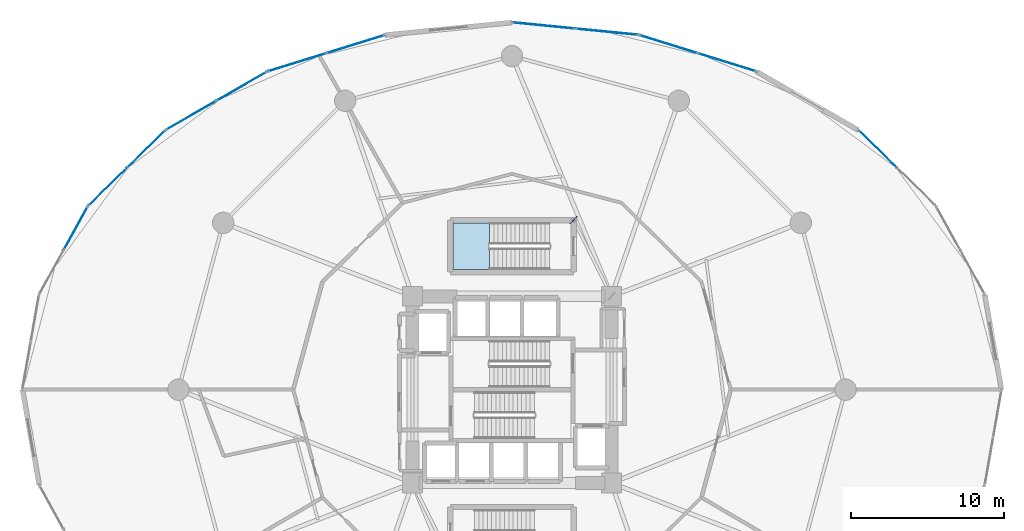
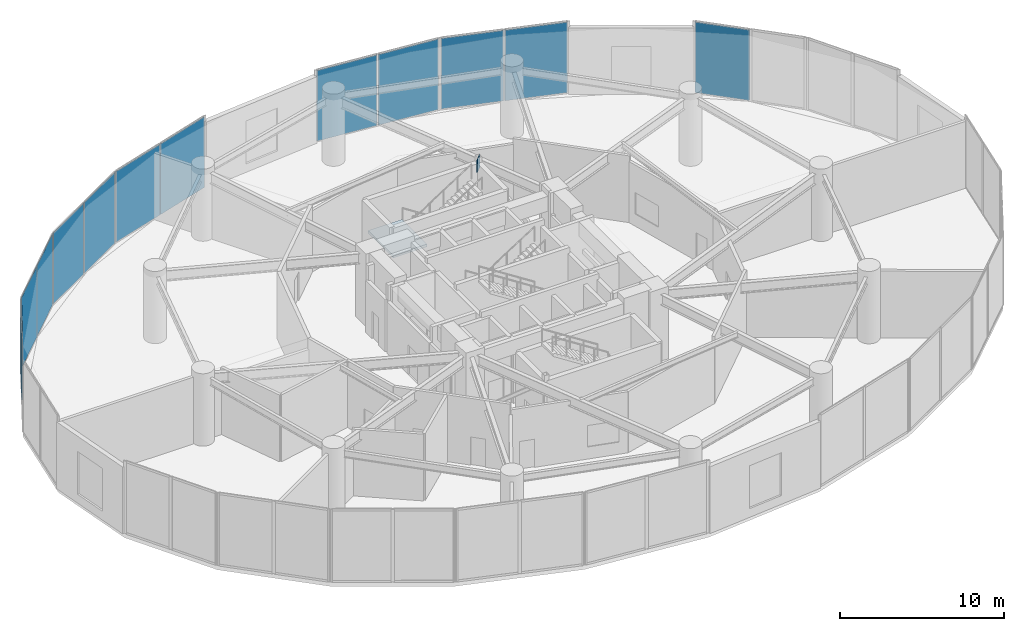
# One storey, part 22 of 29: 13 plates, 1 slab, 8 elements without a shape of their own.
"""IFC4 building model written with IfcOpenShell, lengths in metres."""

from ifc_helpers import new_model, si_unit, direction, frame, origin, origin_2d, place, context, subcontext, project, spatial, polyline, rectangle, outline, extrude, source, transform, mapped, material, layer, layer_set, type_object, element, aggregate, save


model = new_model("IFC4")

# Units and contexts
model_context = context("Model", 3, precision=1e-05, world=origin(), true_north=direction((0.0, 1.0)))
body_context = subcontext(model_context, "Body", "Model", "MODEL_VIEW")
ifc_project = project(units=[si_unit("LENGTHUNIT", "METRE"), si_unit("AREAUNIT", "SQUARE_METRE"), si_unit("VOLUMEUNIT", "CUBIC_METRE"), si_unit("PLANEANGLEUNIT", "RADIAN"), si_unit("MASSUNIT", "GRAM", prefix="KILO")], contexts=[model_context])

# Site, building, storey
site_placement = place(None, origin())
site = spatial("IfcSite", under=ifc_project, at=site_placement, CompositionType="ELEMENT")
building_placement = place(site_placement, origin())
building = spatial("IfcBuilding", under=site, at=building_placement, Name="Solvirekh Grand Hotel", CompositionType="ELEMENT")
storey_placement = place(building_placement, frame((0.0, 0.0, 7.199951171875)))
storey = spatial("IfcBuildingStorey", under=building, at=storey_placement, Name="L01", CompositionType="ELEMENT", Elevation=7.199951171875)

# Stair, slab
ifc_material_1 = material(Name="Steel S355", Category="steel")
stair_type = type_object("IfcStairType", Name="Stair_Grand_2000", PredefinedType="STRAIGHT_RUN_STAIR", material=ifc_material_1)
stair_placement = place(storey_placement, origin())
stair = element("IfcStair", 1, at=stair_placement, inside=storey, type_object=stair_type, Name="L01 Enclosed exit stair ST-4", PredefinedType="STRAIGHT_RUN_STAIR")
ifc_material_2 = material(Name="Concrete C40/50", Category="concrete")
ifc_layer_1 = layer(ifc_material_2, 0.219970703125)
ifc_layer_set_1 = layer_set([ifc_layer_1], Name="Concrete C40/50")
slab_type = type_object("IfcSlabType", Name="Landing_PodStair_220", PredefinedType="LANDING", material=ifc_layer_set_1)
slab_placement = place(storey_placement, frame((0.0, 0.0, 2.5)))
slab = element("IfcSlab", 2, at=slab_placement, type_object=slab_type, Name="ST-4 landing 1", PredefinedType="LANDING", context=body_context, shape_type="SweptSolid", body=[
    extrude(outline(polyline([(-1.469970703125, 10.89990234375), (-3.85009765625, 10.89990234375), (-3.85009765625, 7.85009765625), (-1.469970703125, 7.85009765625), (-1.469970703125, 10.89990234375)])), origin(), (0.0, 0.0, 1.0), 0.199951171875),
])
aggregate(stair, [slab])

# Plate
ifc_layer_2 = layer(ifc_material_1, 0.0400390625)
ifc_layer_set_2 = layer_set([ifc_layer_2], Name="Steel S355")
plate_type_1 = type_object("IfcPlateType", Name="NodeCapPlate_40", PredefinedType="SHEET", material=ifc_layer_set_2)
plate_1_placement = place(storey_placement, frame((4.02490234375, 11.074951171875, 4.375), z_axis=(0.0, 0.0, 1.0), x_axis=(-0.707106781187, 0.707106781187, 0.0)))
element("IfcPlate", 3, at=plate_1_placement, inside=storey, type_object=plate_type_1, Name="L01 hollow-section node plate NP-L01-SG4B", PredefinedType="SHEET", context=body_context, shape_type="SweptSolid", body=[
    extrude(rectangle(XDim=0.0400390625, YDim=0.64990234375, at=origin_2d()), origin(), (0.0, 0.0, 1.0), 0.949951171875),
])

# Curtain wall, plate
ifc_material_3 = material(Name="Anodized Bronze Aluminium 6063-T6", Category="aluminium")
ifc_layer_3 = layer(ifc_material_3, 0.219970703125)
ifc_layer_set_3 = layer_set([ifc_layer_3], Name="Anodized Bronze Aluminium 6063-T6")
curtain_wall_type = type_object("IfcCurtainWallType", Name="CW_Sys1_PodiumBronzeUnitised", PredefinedType="NOTDEFINED", material=ifc_layer_set_3)
curtain_wall_1_placement = place(storey_placement, origin())
curtain_wall_1 = element("IfcCurtainWall", 4, at=curtain_wall_1_placement, inside=storey, type_object=curtain_wall_type, Name="L01 unitised bronze-glass curtain wall CW-L01-C11", PredefinedType="NOTDEFINED")
ifc_material_4 = material(Name="Low-E Tinted Bronze Laminated Glass", Category="aluminium")
ifc_layer_4 = layer(ifc_material_4, 0.0439453125)
ifc_layer_set_4 = layer_set([ifc_layer_4], Name="Low-E Tinted Bronze Laminated Glass")
plate_type_2 = type_object("IfcPlateType", Name="CWPanel_Podium_44", PredefinedType="CURTAIN_PANEL", material=ifc_layer_set_4)
shared_shape_1 = source(origin(), body_context, "Body", "SweptSolid", [
    extrude(rectangle(XDim=3.193603515625, YDim=0.0439453125, at=origin_2d()), origin(), (0.0, 0.0, 1.0), 5.27001953125),
])
plate_2_placement = place(storey_placement, frame((-28.521240234375, 10.53662109375, 0.06494140625), z_axis=(0.0, 0.0, 1.0), x_axis=(-0.48349707719, -0.875345975229, 0.0)))
plate_2 = element("IfcPlate", 5, at=plate_2_placement, type_object=plate_type_2, Name="U01 panel 1.1", PredefinedType="CURTAIN_PANEL", context=body_context, shape_type="MappedRepresentation", body=[
    mapped(shared_shape_1, transform((0.0, 0.0, 0.0), x_axis=(1.0, 0.0, 0.0), y_axis=(0.0, 1.0, 0.0), z_axis=(0.0, 0.0, 1.0), scale=1.0)),
])
aggregate(curtain_wall_1, [plate_2])

curtain_wall_2_placement = place(storey_placement, origin())
curtain_wall_2 = element("IfcCurtainWall", 6, at=curtain_wall_2_placement, inside=storey, type_object=curtain_wall_type, Name="L01 unitised bronze-glass curtain wall CW-L01-C03", PredefinedType="NOTDEFINED")
shared_shape_2 = source(origin(), body_context, "Body", "SweptSolid", [
    extrude(rectangle(XDim=3.443359375, YDim=0.0439453125, at=origin_2d()), origin(), (0.0, 0.0, 1.0), 5.27001953125),
])
plate_3_placement = place(storey_placement, frame((23.911865234375, 15.715087890625, 0.06494140625), z_axis=(0.0, 0.0, 1.0), x_axis=(-0.715145668062, 0.698975445529, 0.0)))
plate_3 = element("IfcPlate", 7, at=plate_3_placement, type_object=plate_type_2, Name="U01 panel 2.1", PredefinedType="CURTAIN_PANEL", context=body_context, shape_type="MappedRepresentation", body=[
    mapped(shared_shape_2, transform((0.0, 0.0, 0.0), x_axis=(1.0, 0.0, 0.0), y_axis=(0.0, 1.0, 0.0), z_axis=(0.0, 0.0, 1.0), scale=1.0)),
])
aggregate(curtain_wall_2, [plate_3])

# Curtain wall, plates
curtain_wall_3_placement = place(storey_placement, origin())
curtain_wall_3 = element("IfcCurtainWall", 8, at=curtain_wall_3_placement, inside=storey, type_object=curtain_wall_type, Name="L01 unitised bronze-glass curtain wall CW-L01-C10", PredefinedType="NOTDEFINED")
plate_4_placement = place(storey_placement, frame((-23.911865234375, 15.715087890625, 0.06494140625), z_axis=(0.0, 0.0, 1.0), x_axis=(-0.715145668062, -0.698975445529, 0.0)))
plate_4 = element("IfcPlate", 9, at=plate_4_placement, type_object=plate_type_2, Name="U01 panel 1.1", PredefinedType="CURTAIN_PANEL", context=body_context, shape_type="MappedRepresentation", body=[
    mapped(shared_shape_2, transform((0.0, 0.0, 0.0), x_axis=(1.0, 0.0, 0.0), y_axis=(0.0, 1.0, 0.0), z_axis=(0.0, 0.0, 1.0), scale=1.0)),
])
plate_5_placement = place(storey_placement, frame((-26.427978515625, 13.255859375, 0.06494140625), z_axis=(0.0, 0.0, 1.0), x_axis=(-0.715145668062, -0.698975445529, 0.0)))
plate_5 = element("IfcPlate", 10, at=plate_5_placement, type_object=plate_type_2, Name="U01 panel 2.1", PredefinedType="CURTAIN_PANEL", context=body_context, shape_type="MappedRepresentation", body=[
    mapped(shared_shape_2, transform((0.0, 0.0, 0.0), x_axis=(1.0, 0.0, 0.0), y_axis=(0.0, 1.0, 0.0), z_axis=(0.0, 0.0, 1.0), scale=1.0)),
])
aggregate(curtain_wall_3, [plate_4, plate_5])

curtain_wall_4_placement = place(storey_placement, origin())
curtain_wall_4 = element("IfcCurtainWall", 11, at=curtain_wall_4_placement, inside=storey, type_object=curtain_wall_type, Name="L01 unitised bronze-glass curtain wall CW-L01-C05", PredefinedType="NOTDEFINED")
shared_shape_3 = source(origin(), body_context, "Body", "SweptSolid", [
    extrude(rectangle(XDim=3.92822265625, YDim=0.0439453125, at=origin_2d()), origin(), (0.0, 0.0, 1.0), 5.27001953125),
])
plate_6_placement = place(storey_placement, frame((14.052490234375, 21.389892578125, 0.06494140625), z_axis=(0.0, 0.0, 1.0), x_axis=(-0.955002516074, 0.296597697719, 0.0)))
plate_6 = element("IfcPlate", 12, at=plate_6_placement, type_object=plate_type_2, Name="U01 panel 1.1", PredefinedType="CURTAIN_PANEL", context=body_context, shape_type="MappedRepresentation", body=[
    mapped(shared_shape_3, transform((0.0, 0.0, 0.0), x_axis=(1.0, 0.0, 0.0), y_axis=(0.0, 1.0, 0.0), z_axis=(0.0, 0.0, 1.0), scale=1.0)),
])
plate_7_placement = place(storey_placement, frame((10.2294921875, 22.5771484375, 0.06494140625), z_axis=(0.0, 0.0, 1.0), x_axis=(-0.955002516074, 0.296597697719, 0.0)))
plate_7 = element("IfcPlate", 13, at=plate_7_placement, type_object=plate_type_2, Name="U01 panel 2.1", PredefinedType="CURTAIN_PANEL", context=body_context, shape_type="MappedRepresentation", body=[
    mapped(shared_shape_3, transform((0.0, 0.0, 0.0), x_axis=(1.0, 0.0, 0.0), y_axis=(0.0, 1.0, 0.0), z_axis=(0.0, 0.0, 1.0), scale=1.0)),
])
aggregate(curtain_wall_4, [plate_6, plate_7])

curtain_wall_5_placement = place(storey_placement, origin())
curtain_wall_5 = element("IfcCurtainWall", 14, at=curtain_wall_5_placement, inside=storey, type_object=curtain_wall_type, Name="L01 unitised bronze-glass curtain wall CW-L01-C08", PredefinedType="NOTDEFINED")
plate_8_placement = place(storey_placement, frame((-10.2294921875, 22.5771484375, 0.06494140625), z_axis=(0.0, 0.0, 1.0), x_axis=(-0.955002516074, -0.296597697719, 0.0)))
plate_8 = element("IfcPlate", 15, at=plate_8_placement, type_object=plate_type_2, Name="U01 panel 1.1", PredefinedType="CURTAIN_PANEL", context=body_context, shape_type="MappedRepresentation", body=[
    mapped(shared_shape_3, transform((0.0, 0.0, 0.0), x_axis=(1.0, 0.0, 0.0), y_axis=(0.0, 1.0, 0.0), z_axis=(0.0, 0.0, 1.0), scale=1.0)),
])
plate_9_placement = place(storey_placement, frame((-14.052490234375, 21.389892578125, 0.06494140625), z_axis=(0.0, 0.0, 1.0), x_axis=(-0.955002516074, -0.296597697719, 0.0)))
plate_9 = element("IfcPlate", 16, at=plate_9_placement, type_object=plate_type_2, Name="U01 panel 2.1", PredefinedType="CURTAIN_PANEL", context=body_context, shape_type="MappedRepresentation", body=[
    mapped(shared_shape_3, transform((0.0, 0.0, 0.0), x_axis=(1.0, 0.0, 0.0), y_axis=(0.0, 1.0, 0.0), z_axis=(0.0, 0.0, 1.0), scale=1.0)),
])
aggregate(curtain_wall_5, [plate_8, plate_9])

curtain_wall_6_placement = place(storey_placement, origin())
curtain_wall_6 = element("IfcCurtainWall", 17, at=curtain_wall_6_placement, inside=storey, type_object=curtain_wall_type, Name="L01 unitised bronze-glass curtain wall CW-L01-C06", PredefinedType="NOTDEFINED")
shared_shape_4 = source(origin(), body_context, "Body", "SweptSolid", [
    extrude(rectangle(XDim=4.048583984375, YDim=0.0439453125, at=origin_2d()), origin(), (0.0, 0.0, 1.0), 5.27001953125),
])
plate_10_placement = place(storey_placement, frame((6.19287109375, 23.388427734375, 0.06494140625), z_axis=(0.0, 0.0, 1.0), x_axis=(-0.995157799072, 0.098290156916, 0.0)))
plate_10 = element("IfcPlate", 18, at=plate_10_placement, type_object=plate_type_2, Name="U01 panel 1.1", PredefinedType="CURTAIN_PANEL", context=body_context, shape_type="MappedRepresentation", body=[
    mapped(shared_shape_4, transform((0.0, 0.0, 0.0), x_axis=(1.0, 0.0, 0.0), y_axis=(0.0, 1.0, 0.0), z_axis=(0.0, 0.0, 1.0), scale=1.0)),
])
plate_11_placement = place(storey_placement, frame((2.089111328125, 23.793701171875, 0.06494140625), z_axis=(0.0, 0.0, 1.0), x_axis=(-0.995157799072, 0.098290156916, 0.0)))
plate_11 = element("IfcPlate", 19, at=plate_11_placement, type_object=plate_type_2, Name="U01 panel 2.1", PredefinedType="CURTAIN_PANEL", context=body_context, shape_type="MappedRepresentation", body=[
    mapped(shared_shape_4, transform((0.0, 0.0, 0.0), x_axis=(1.0, 0.0, 0.0), y_axis=(0.0, 1.0, 0.0), z_axis=(0.0, 0.0, 1.0), scale=1.0)),
])
aggregate(curtain_wall_6, [plate_10, plate_11])

curtain_wall_7_placement = place(storey_placement, origin())
curtain_wall_7 = element("IfcCurtainWall", 20, at=curtain_wall_7_placement, inside=storey, type_object=curtain_wall_type, Name="L01 unitised bronze-glass curtain wall CW-L01-C09", PredefinedType="NOTDEFINED")
shared_shape_5 = source(origin(), body_context, "Body", "SweptSolid", [
    extrude(rectangle(XDim=3.710693359375, YDim=0.0439453125, at=origin_2d()), origin(), (0.0, 0.0, 1.0), 5.27001953125),
])
plate_12_placement = place(storey_placement, frame((-17.673095703125, 19.822265625, 0.06494140625), z_axis=(0.0, 0.0, 1.0), x_axis=(-0.8667098438, -0.498812636829, 0.0)))
plate_12 = element("IfcPlate", 21, at=plate_12_placement, type_object=plate_type_2, Name="U01 panel 1.1", PredefinedType="CURTAIN_PANEL", context=body_context, shape_type="MappedRepresentation", body=[
    mapped(shared_shape_5, transform((0.0, 0.0, 0.0), x_axis=(1.0, 0.0, 0.0), y_axis=(0.0, 1.0, 0.0), z_axis=(0.0, 0.0, 1.0), scale=1.0)),
])
plate_13_placement = place(storey_placement, frame((-20.9541015625, 17.933837890625, 0.06494140625), z_axis=(0.0, 0.0, 1.0), x_axis=(-0.8667098438, -0.498812636829, 0.0)))
plate_13 = element("IfcPlate", 22, at=plate_13_placement, type_object=plate_type_2, Name="U01 panel 2.1", PredefinedType="CURTAIN_PANEL", context=body_context, shape_type="MappedRepresentation", body=[
    mapped(shared_shape_5, transform((0.0, 0.0, 0.0), x_axis=(1.0, 0.0, 0.0), y_axis=(0.0, 1.0, 0.0), z_axis=(0.0, 0.0, 1.0), scale=1.0)),
])
aggregate(curtain_wall_7, [plate_12, plate_13])

save(model, "model.ifc")
